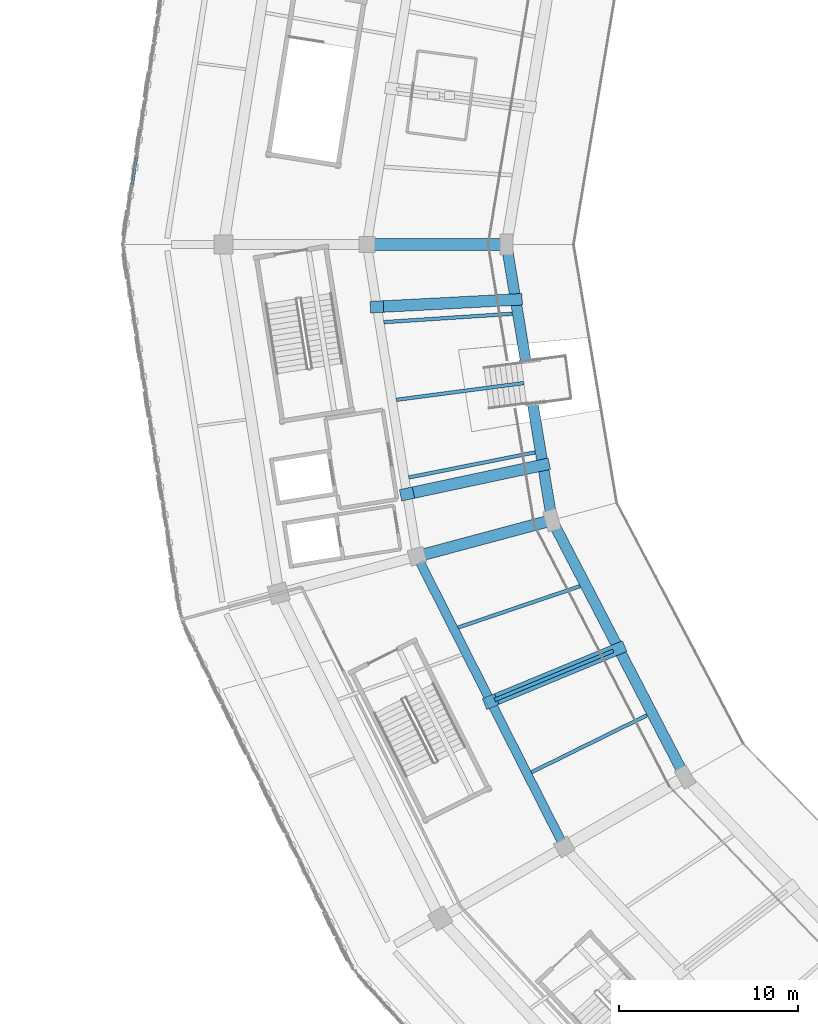
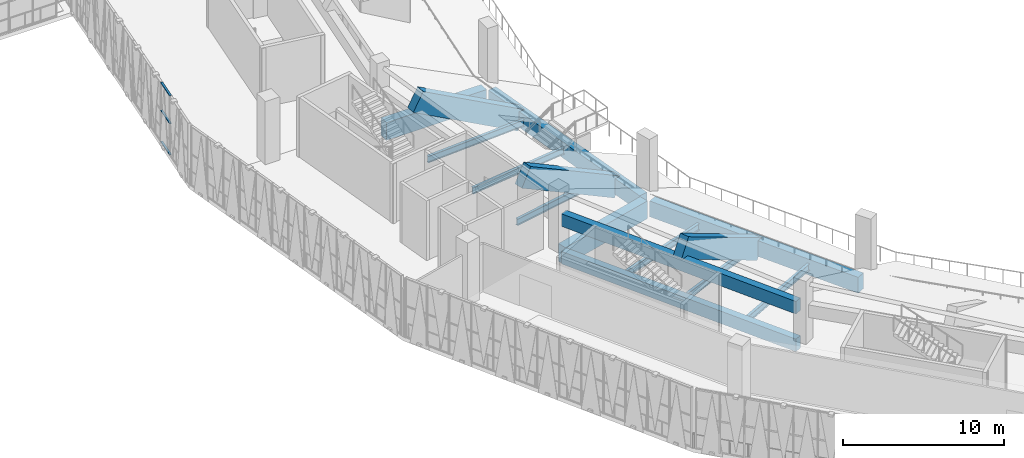
# One storey, part 20 of 152: 15 beams, 3 members, 1 element without a shape of its own.
"""IFC4 building model written with IfcOpenShell, lengths in metres."""

import ifcopenshell
import ifcopenshell.guid

model = None  # the IFC model being written
_history = None  # IfcOwnerHistory: only IFC2X3 demands one
_inside = {}  # id of a spatial element -> (the spatial element, [elements in it])
_under = {}  # id of a project, library or spatial element -> (it, [spatial elements below it])
_declared = {}  # id of a project -> (the project, [libraries it declares])
_typed = {}  # id of a type object -> (the type object, [elements of that type])
_made_of = {}  # id of a material, layer set ... -> (it, [elements and type objects made of it])


def new_model(schema):
    """Start an empty IFC model of exactly this schema.

    Asked for "IFC4X3", IfcOpenShell would pick the latest addendum, in which some entities
    have other attributes; the version numbers below select the first issue.
    IFC2X3 requires an IfcOwnerHistory on every rooted entity: one is made here for all.
    """
    global model, _history
    if schema == "IFC4X3":
        model = ifcopenshell.file(schema_version=(4, 3, 0, 0))
    else:
        model = ifcopenshell.file(schema=schema)
    _inside.clear()
    _under.clear()
    _declared.clear()
    _typed.clear()
    _made_of.clear()
    _history = None
    if model.schema == "IFC2X3":
        org = make("IfcOrganization", Name="unknown")
        user = make(
            "IfcPersonAndOrganization",
            ThePerson=make("IfcPerson", FamilyName="unknown"),
            TheOrganization=org,
        )
        app = make(
            "IfcApplication",
            ApplicationDeveloper=org,
            Version="unknown",
            ApplicationFullName="unknown",
            ApplicationIdentifier="unknown",
        )
        _history = make(
            "IfcOwnerHistory",
            OwningUser=user,
            OwningApplication=app,
            ChangeAction="ADDED",
            CreationDate=0,
        )
    return model


def make(cls, **values):
    """One entity of the class cls with the attributes given. An attribute that is None is left unset."""
    return model.create_entity(
        cls, **{name: value for name, value in values.items() if value is not None}
    )


def rooted(cls, **values):
    """An entity with a GlobalId (a new one), such as an element, a storey or a relation."""
    return make(cls, GlobalId=ifcopenshell.guid.new(), OwnerHistory=_history, **values)


def si_unit(unit_type, name, prefix=None):
    """IfcSIUnit, for example si_unit("LENGTHUNIT", "METRE", prefix="MILLI")."""
    return make("IfcSIUnit", UnitType=unit_type, Prefix=prefix, Name=name)


def assignment(units):
    """IfcUnitAssignment: the units of a project."""
    return None if units is None else make("IfcUnitAssignment", Units=units)


def point(xyz):
    """IfcCartesianPoint."""
    return None if xyz is None else make("IfcCartesianPoint", Coordinates=xyz)


def direction(xyz):
    """IfcDirection."""
    return None if xyz is None else make("IfcDirection", DirectionRatios=xyz)


def frame(location, z_axis=None, x_axis=None):
    """IfcAxis2Placement3D, a coordinate frame: its origin and axes. An axis left out is left unset."""
    return make(
        "IfcAxis2Placement3D",
        Location=point(location),
        Axis=direction(z_axis),
        RefDirection=direction(x_axis),
    )


def frame_2d(location, x_axis=None):
    """IfcAxis2Placement2D, a coordinate frame in the plane: its origin and x axis."""
    return make(
        "IfcAxis2Placement2D", Location=point(location), RefDirection=direction(x_axis)
    )


def origin():
    """The frame at (0, 0, 0) with its axes left unset."""
    return frame((0.0, 0.0, 0.0))


def origin_2d():
    """The frame at (0, 0) in the plane with its x axis left unset."""
    return frame_2d((0.0, 0.0))


def place(relative_to, where):
    """IfcLocalPlacement: puts the frame where relative to a parent placement (None: the world)."""
    return make(
        "IfcLocalPlacement", PlacementRelTo=relative_to, RelativePlacement=where
    )


def context(
    kind, dimensions, precision=None, world=None, true_north=None, identifier=None
):
    """IfcGeometricRepresentationContext, for example the 3D "Model" context."""
    return make(
        "IfcGeometricRepresentationContext",
        ContextIdentifier=identifier,
        ContextType=kind,
        CoordinateSpaceDimension=dimensions,
        Precision=precision,
        WorldCoordinateSystem=world,
        TrueNorth=true_north,
    )


def subcontext(parent, identifier, kind, view, scale=None):
    """IfcGeometricRepresentationSubContext, for example "Body" below "Model"."""
    return make(
        "IfcGeometricRepresentationSubContext",
        ContextIdentifier=identifier,
        ContextType=kind,
        ParentContext=parent,
        TargetScale=scale,
        TargetView=view,
    )


def project(units=None, contexts=None):
    """IfcProject with its units and contexts."""
    return rooted(
        "IfcProject",
        Name="project",
        RepresentationContexts=contexts,
        UnitsInContext=assignment(units),
    )


def spatial(cls, under=None, at=None, **own):
    """A site, building, storey or space (cls), placed at a placement, below another one or the project."""
    s = rooted(cls, ObjectPlacement=at, **own)
    if under is not None:
        _under.setdefault(under.id(), (under, []))[1].append(s)
    return s


def profile(cls, at=None, kind="AREA", **sizes):
    """A parametric profile (cls). Its sizes go by their IFC names, for example OverallWidth=200.0."""
    return make(cls, ProfileType=kind, Position=at, **sizes)


def rectangle(**sizes):
    """IfcRectangleProfileDef."""
    return profile("IfcRectangleProfileDef", **sizes)


def i_section(**sizes):
    """IfcIShapeProfileDef."""
    return profile("IfcIShapeProfileDef", **sizes)


def extrude(swept, where, along, depth):
    """IfcExtrudedAreaSolid: the profile swept, set in the frame where, extruded along a direction by depth."""
    return make(
        "IfcExtrudedAreaSolid",
        SweptArea=swept,
        Position=where,
        ExtrudedDirection=direction(along),
        Depth=depth,
    )


def shape(context_of_items, identifier, shape_type, items):
    """IfcShapeRepresentation: the items that make up one representation, for example the "Body"."""
    return make(
        "IfcShapeRepresentation",
        ContextOfItems=context_of_items,
        RepresentationIdentifier=identifier,
        RepresentationType=shape_type,
        Items=items,
    )


def material(Name=None, Category=None):
    """IfcMaterial."""
    return make("IfcMaterial", Name=Name, Category=Category)


def material_profile(
    of_material, cross_section, Name=None, Category=None, Priority=None
):
    """IfcMaterialProfile: a cross section and its material."""
    return make(
        "IfcMaterialProfile",
        Name=Name,
        Material=of_material,
        Profile=cross_section,
        Priority=Priority,
        Category=Category,
    )


def profile_set(profiles, Name=None, composite=None):
    """IfcMaterialProfileSet."""
    return make(
        "IfcMaterialProfileSet",
        Name=Name,
        MaterialProfiles=profiles,
        CompositeProfile=composite,
    )


def made_of(thing, what):
    """Note that an element or type object is made of a material, layer set ...; save() writes the relation."""
    if what is not None:
        _made_of.setdefault(what.id(), (what, []))[1].append(thing)
    return thing


def type_object(cls, material=None, **own):
    """A type object (cls), such as IfcWallType, which elements share."""
    return made_of(rooted(cls, **own), material)


def element(
    cls,
    number,
    at=None,
    inside=None,
    cuts=None,
    type_object=None,
    material=None,
    context=None,
    identifier="Body",
    shape_type=None,
    held_by="IfcProductDefinitionShape",
    body=None,
    shapes=None,
    **own,
):
    """One element of the class cls, such as IfcWall. Its Tag is "e" and its number.

    at: its placement. inside: the storey or other place that contains it. cuts: it is an
    opening in that element (IfcRelVoidsElement). A single representation is given by context,
    identifier, shape_type and body (its items); several are given by shapes. held_by: the class
    of the entity that holds the representations. save() writes the other relations.
    """
    e = rooted(cls, Tag="e%d" % number, ObjectPlacement=at, **own)
    if body is not None:
        shapes = [shape(context, identifier, shape_type, body)]
    if shapes is not None:
        e.Representation = make(held_by, Representations=shapes)
    if inside is not None:
        _inside.setdefault(inside.id(), (inside, []))[1].append(e)
    if cuts is not None:
        rooted(
            "IfcRelVoidsElement", RelatingBuildingElement=cuts, RelatedOpeningElement=e
        )
    if type_object is not None:
        _typed.setdefault(type_object.id(), (type_object, []))[1].append(e)
    return made_of(e, material)


def aggregate(whole, parts):
    """IfcRelAggregates: a whole, such as a stair, and the parts it consists of."""
    return rooted("IfcRelAggregates", RelatingObject=whole, RelatedObjects=parts)


def save(model, path):
    """Write the relations noted so far, then the file.

    IfcRelAggregates (storeys below a building ...), IfcRelContainedInSpatialStructure (elements
    in a storey), IfcRelDefinesByType, IfcRelAssociatesMaterial and IfcRelDeclares: one each for
    every whole, place, type object, material and project.
    """
    for whole, parts in _under.values():
        aggregate(whole, parts)
    for where, things in _inside.values():
        rooted(
            "IfcRelContainedInSpatialStructure",
            RelatedElements=things,
            RelatingStructure=where,
        )
    for kind, things in _typed.values():
        rooted("IfcRelDefinesByType", RelatedObjects=things, RelatingType=kind)
    for what, things in _made_of.values():
        rooted("IfcRelAssociatesMaterial", RelatedObjects=things, RelatingMaterial=what)
    for by, libraries in _declared.values():
        rooted("IfcRelDeclares", RelatingContext=by, RelatedDefinitions=libraries)
    model.write(path)


model = new_model("IFC4")

# Units and contexts
model_context = context("Model", 3, precision=1e-05, world=origin(), true_north=direction((0.0, 1.0)))
body_context = subcontext(model_context, "Body", "Model", "MODEL_VIEW")
ifc_project = project(units=[si_unit("LENGTHUNIT", "METRE"), si_unit("AREAUNIT", "SQUARE_METRE"), si_unit("VOLUMEUNIT", "CUBIC_METRE"), si_unit("PLANEANGLEUNIT", "RADIAN"), si_unit("MASSUNIT", "GRAM", prefix="KILO")], contexts=[model_context])

# Site, building, storey
site_placement = place(None, origin())
site = spatial("IfcSite", under=ifc_project, at=site_placement, CompositionType="ELEMENT")
building_placement = place(site_placement, origin())
building = spatial("IfcBuilding", under=site, at=building_placement, Name="Zevraka Park Crest Stadium", CompositionType="ELEMENT")
storey_placement = place(building_placement, frame((0.0, 0.0, 15.0)))
storey = spatial("IfcBuildingStorey", under=building, at=storey_placement, Name="L03", CompositionType="ELEMENT", Elevation=15.0)

# Beams
ifc_material_1 = material(Name="Concrete C40/50", Category="concrete")
ifc_material_profile_1 = material_profile(ifc_material_1, rectangle(XDim=0.64990234375, YDim=1.35009765625, at=origin_2d()), Name="RC 1350x650")
ifc_profile_set_1 = profile_set([ifc_material_profile_1], Name="Concrete C40/50")
beam_type_1 = type_object("IfcBeamType", Name="BG01", PredefinedType="BEAM", material=ifc_profile_set_1)
beam_1_placement = place(storey_placement, frame((37.199951171875, 92.0, -0.68505859375), z_axis=(-1.0, 0.0, 0.0), x_axis=(0.0, -1.0, 0.0)))
element("IfcBeam", 1, at=beam_1_placement, inside=storey, type_object=beam_type_1, Name="Radial Girder BG01 L03-BC-12", PredefinedType="BEAM", context=body_context, shape_type="SweptSolid", body=[
    extrude(rectangle(XDim=0.64990234375, YDim=1.35009765625, at=origin_2d()), origin(), (0.0, 0.0, 1.0), 7.199951171875),
])
beam_2_placement = place(storey_placement, frame((39.7490234375, 76.52197265625, -0.68505859375), z_axis=(-0.965945630245, -0.258745124417, 0.0), x_axis=(0.258745124417, -0.965945630245, 0.0)))
element("IfcBeam", 2, at=beam_2_placement, inside=storey, type_object=beam_type_1, Name="Radial Girder BG01 L03-BC-13", PredefinedType="BEAM", context=body_context, shape_type="SweptSolid", body=[
    extrude(rectangle(XDim=0.64990234375, YDim=1.35009765625, at=origin_2d()), origin(), (0.0, 0.0, 1.0), 7.2001953125),
])

# Curtain wall, members
ifc_material_2 = material(Name="Anodised architectural aluminium and laminated safety glass", Category="aluminium")
curtain_wall_type = type_object("IfcCurtainWallType", Name="CW11", PredefinedType="NOTDEFINED", material=ifc_material_2)
curtain_wall_placement = place(storey_placement, origin())
curtain_wall = element("IfcCurtainWall", 3, at=curtain_wall_placement, inside=storey, type_object=curtain_wall_type, Name="Unitised Ring Curtain Wall CW11 L03-11", PredefinedType="NOTDEFINED")
ifc_material_3 = material(Name="Anodised architectural aluminium", Category="aluminium")
ifc_material_profile_2 = material_profile(ifc_material_3, rectangle(XDim=0.139892578125, YDim=0.06494140625, at=origin_2d()), Name="ALU TRANSOM 140x65")
ifc_profile_set_2 = profile_set([ifc_material_profile_2], Name="Anodised architectural aluminium")
member_type = type_object("IfcMemberType", Name="CT02", PredefinedType="USERDEFINED", material=ifc_profile_set_2)
member_1_placement = place(storey_placement, frame((16.840576171875, 96.867919921875, 0.032470703125), z_axis=(-0.154015463856, -0.988068437353, 0.0), x_axis=(0.988068437353, -0.154015463856, 0.0)))
member_1 = element("IfcMember", 4, at=member_1_placement, type_object=member_type, Name="CW11 transom 11.1", ObjectType="TRANSOM", PredefinedType="USERDEFINED", context=body_context, shape_type="SweptSolid", body=[
    extrude(rectangle(XDim=0.139892578125, YDim=0.06494140625, at=origin_2d()), origin(), (0.0, 0.0, 1.0), 1.545654296875),
])
member_2_placement = place(storey_placement, frame((16.840576171875, 96.867919921875, 2.39990234375), z_axis=(-0.154015463856, -0.988068437353, 0.0), x_axis=(0.988068437353, -0.154015463856, 0.0)))
member_2 = element("IfcMember", 5, at=member_2_placement, type_object=member_type, Name="CW11 transom 11.2", ObjectType="TRANSOM", PredefinedType="USERDEFINED", context=body_context, shape_type="SweptSolid", body=[
    extrude(rectangle(XDim=0.139892578125, YDim=0.06494140625, at=origin_2d()), origin(), (0.0, 0.0, 1.0), 1.545654296875),
])
member_3_placement = place(storey_placement, frame((16.840576171875, 96.867919921875, 4.507568359375), z_axis=(-0.154015463856, -0.988068437353, 0.0), x_axis=(0.988068437353, -0.154015463856, 0.0)))
member_3 = element("IfcMember", 6, at=member_3_placement, type_object=member_type, Name="CW11 transom 11.3", ObjectType="TRANSOM", PredefinedType="USERDEFINED", context=body_context, shape_type="SweptSolid", body=[
    extrude(rectangle(XDim=0.139892578125, YDim=0.06494140625, at=origin_2d()), origin(), (0.0, 0.0, 1.0), 1.545654296875),
])
aggregate(curtain_wall, [member_1, member_2, member_3])

# Beams
ifc_material_4 = material(Name="Concrete C40/50", Category="concrete")
ifc_material_profile_3 = material_profile(ifc_material_4, rectangle(XDim=0.60009765625, YDim=1.199951171875, at=origin_2d()), Name="RC 1200x600")
ifc_profile_set_3 = profile_set([ifc_material_profile_3], Name="Concrete C40/50")
beam_type_2 = type_object("IfcBeamType", Name="RB01", PredefinedType="BEAM", material=ifc_profile_set_3)
beam_3_placement = place(storey_placement, frame((37.56201171875, 91.625, -0.610107421875), z_axis=(0.162654875862, -0.986683024764, 0.0), x_axis=(0.986683024764, 0.162654875862, 0.0)))
element("IfcBeam", 7, at=beam_3_placement, inside=storey, type_object=beam_type_2, Name="Ring Beam RB01 L03-B-12", PredefinedType="BEAM", context=body_context, shape_type="SweptSolid", body=[
    extrude(rectangle(XDim=0.60009765625, YDim=1.199951171875, at=origin_2d()), origin(), (0.0, 0.0, 1.0), 14.84765625),
])
beam_4_placement = place(storey_placement, frame((40.214111328125, 76.262939453125, -0.610107421875), z_axis=(0.460343993973, -0.887740619333, 0.0), x_axis=(0.887740619333, 0.460343993973, 0.0)))
element("IfcBeam", 8, at=beam_4_placement, inside=storey, type_object=beam_type_2, Name="Ring Beam RB01 L03-B-13", PredefinedType="BEAM", context=body_context, shape_type="SweptSolid", body=[
    extrude(rectangle(XDim=0.60009765625, YDim=1.199951171875, at=origin_2d()), origin(), (0.0, 0.0, 1.0), 15.405517578125),
])
ifc_material_5 = material(Name="Concrete C40/50", Category="concrete")
ifc_material_profile_4 = material_profile(ifc_material_5, rectangle(XDim=0.5, YDim=0.949951171875, at=origin_2d()), Name="RC 950x500")
ifc_profile_set_4 = profile_set([ifc_material_profile_4], Name="Concrete C40/50")
beam_type_3 = type_object("IfcBeamType", Name="RB02", PredefinedType="BEAM", material=ifc_profile_set_4)
for number, where, z_axis, x_axis, name in (
    (9, (32.676025390625, 74.241943359375, -0.485107421875), (0.451862275442, -0.892087710953, 0.0), (0.892087710953, 0.451862275442, 0.0), "Ring Beam RB02 L03-C-13"),
    (10, (32.676025390625, 74.241943359375, 2.375), (0.451862275442, -0.892087710953, 0.0), (0.892087710953, 0.451862275442, 0.0), "Upper Tier Head Raker Ring Beam RB02 13"),
):
    element("IfcBeam", number, at=place(storey_placement, frame(where, z_axis=z_axis, x_axis=x_axis)), inside=storey, type_object=beam_type_3, Name=name, PredefinedType="BEAM", context=body_context, shape_type="SweptSolid", body=[
        extrude(rectangle(XDim=0.5, YDim=0.949951171875, at=origin_2d()), origin(), (0.0, 0.0, 1.0), 17.434326171875),
    ])
ifc_material_6 = material(Name="Concrete C40/50", Category="concrete")
ifc_material_profile_5 = material_profile(ifc_material_6, rectangle(XDim=0.64990234375, YDim=1.5, at=origin_2d()), Name="RC 1500x650")
ifc_profile_set_5 = profile_set([ifc_material_profile_5], Name="Concrete C40/50")
beam_type_4 = type_object("IfcBeamType", Name="RK02", PredefinedType="BEAM", material=ifc_profile_set_5)
beam_5_placement = place(storey_placement, frame((38.008056640625, 88.919921875, -0.800048828125), z_axis=(-0.869603239443, -0.045327233015, 0.491666195602), x_axis=(0.052053374482, -0.998644304147, 0.0)))
element("IfcBeam", 11, at=beam_5_placement, inside=storey, type_object=beam_type_4, Name="Upper Bowl Main Raker Girder RK02 12-1", PredefinedType="BEAM", context=body_context, shape_type="SweptSolid", body=[
    extrude(rectangle(XDim=0.64990234375, YDim=1.5, at=origin_2d()), origin(), (0.0, 0.0, 1.0), 8.90869140625),
])
beam_6_placement = place(storey_placement, frame((39.531005859375, 79.679931640625, -0.800048828125), z_axis=(-0.851713335795, -0.181276824848, 0.491653441361), x_axis=(0.20817490473, -0.978091615873, 0.0)))
element("IfcBeam", 12, at=beam_6_placement, inside=storey, type_object=beam_type_4, Name="Upper Bowl Main Raker Girder RK02 12-2", PredefinedType="BEAM", context=body_context, shape_type="SweptSolid", body=[
    extrude(rectangle(XDim=0.64990234375, YDim=1.5, at=origin_2d()), origin(), (0.0, 0.0, 1.0), 8.908935546875),
])
beam_7_placement = place(storey_placement, frame((43.760009765625, 69.425048828125, -0.800048828125), z_axis=(-0.803916148748, -0.332927756538, 0.492826475251), x_axis=(0.382619458386, -0.923906028806, 0.0)))
element("IfcBeam", 13, at=beam_7_placement, inside=storey, type_object=beam_type_4, Name="Upper Bowl Main Raker Girder RK02 13", PredefinedType="BEAM", context=body_context, shape_type="SweptSolid", body=[
    extrude(rectangle(XDim=0.64990234375, YDim=1.5, at=origin_2d()), origin(), (0.0, 0.0, 1.0), 8.8876953125),
])
ifc_material_7 = material(Name="Steel S355", Category="steel")
ifc_material_profile_6 = material_profile(ifc_material_7, i_section(OverallWidth=0.199951171875, OverallDepth=0.5, WebThickness=0.01025390625, FlangeThickness=0.01611328125, at=origin_2d()), Name="IPE 500")
ifc_profile_set_6 = profile_set([ifc_material_profile_6], Name="Steel S355")
beam_type_5 = type_object("IfcBeamType", Name="SJ10", PredefinedType="JOIST", material=ifc_profile_set_6)
beam_8_placement = place(storey_placement, frame((37.820068359375, 88.12890625, -0.55810546875), z_axis=(-0.997879386875, -0.065090162464, 0.0), x_axis=(0.065090162464, -0.997879386875, 0.0)))
element("IfcBeam", 14, at=beam_8_placement, inside=storey, type_object=beam_type_5, Name="Floor Joist SJ10 L03-BC-12-1", PredefinedType="JOIST", context=body_context, shape_type="SweptSolid", body=[
    extrude(i_section(OverallWidth=0.199951171875, OverallDepth=0.5, WebThickness=0.01025390625, FlangeThickness=0.01611328125, at=origin_2d()), origin(), (0.0, 0.0, 1.0), 7.190185546875),
])
beam_9_placement = place(storey_placement, frame((38.45703125, 84.259033203125, -0.55810546875), z_axis=(-0.991432387953, -0.130620902302, 0.0), x_axis=(0.130620902302, -0.991432387953, 0.0)))
element("IfcBeam", 15, at=beam_9_placement, inside=storey, type_object=beam_type_5, Name="Floor Joist SJ10 L03-BC-12-2", PredefinedType="JOIST", context=body_context, shape_type="SweptSolid", body=[
    extrude(i_section(OverallWidth=0.199951171875, OverallDepth=0.5, WebThickness=0.01025390625, FlangeThickness=0.01611328125, at=origin_2d()), origin(), (0.0, 0.0, 1.0), 7.173583984375),
])
beam_10_placement = place(storey_placement, frame((39.094970703125, 80.387939453125, -0.55810546875), z_axis=(-0.98075007635, -0.195267221364, 0.0), x_axis=(0.195267221364, -0.98075007635, 0.0)))
element("IfcBeam", 16, at=beam_10_placement, inside=storey, type_object=beam_type_5, Name="Floor Joist SJ10 L03-BC-12-3", PredefinedType="JOIST", context=body_context, shape_type="SweptSolid", body=[
    extrude(i_section(OverallWidth=0.199951171875, OverallDepth=0.5, WebThickness=0.01025390625, FlangeThickness=0.01611328125, at=origin_2d()), origin(), (0.0, 0.0, 1.0), 7.1904296875),
])
beam_11_placement = place(storey_placement, frame((41.60107421875, 72.910888671875, -0.55810546875), z_axis=(-0.947037352852, -0.321123422227, 0.0), x_axis=(0.321123422227, -0.947037352852, 0.0)))
element("IfcBeam", 17, at=beam_11_placement, inside=storey, type_object=beam_type_5, Name="Floor Joist SJ10 L03-BC-13-1", PredefinedType="JOIST", context=body_context, shape_type="SweptSolid", body=[
    extrude(i_section(OverallWidth=0.199951171875, OverallDepth=0.5, WebThickness=0.01025390625, FlangeThickness=0.01611328125, at=origin_2d()), origin(), (0.0, 0.0, 1.0), 7.18994140625),
])
beam_12_placement = place(storey_placement, frame((43.468994140625, 69.303955078125, -0.55810546875), z_axis=(-0.923904434651, -0.382623307749, 0.0), x_axis=(0.382623307749, -0.923904434651, 0.0)))
element("IfcBeam", 18, at=beam_12_placement, inside=storey, type_object=beam_type_5, Name="Floor Joist SJ10 L03-BC-13-2", PredefinedType="JOIST", context=body_context, shape_type="SweptSolid", body=[
    extrude(i_section(OverallWidth=0.199951171875, OverallDepth=0.5, WebThickness=0.01025390625, FlangeThickness=0.01611328125, at=origin_2d()), origin(), (0.0, 0.0, 1.0), 7.173828125),
])
beam_13_placement = place(storey_placement, frame((45.337890625, 65.697998046875, -0.55810546875), z_axis=(-0.89675774001, -0.442521813849, 0.0), x_axis=(0.442521813849, -0.89675774001, 0.0)))
element("IfcBeam", 19, at=beam_13_placement, inside=storey, type_object=beam_type_5, Name="Floor Joist SJ10 L03-BC-13-3", PredefinedType="JOIST", context=body_context, shape_type="SweptSolid", body=[
    extrude(i_section(OverallWidth=0.199951171875, OverallDepth=0.5, WebThickness=0.01025390625, FlangeThickness=0.01611328125, at=origin_2d()), origin(), (0.0, 0.0, 1.0), 7.1904296875),
])

save(model, "model.ifc")
